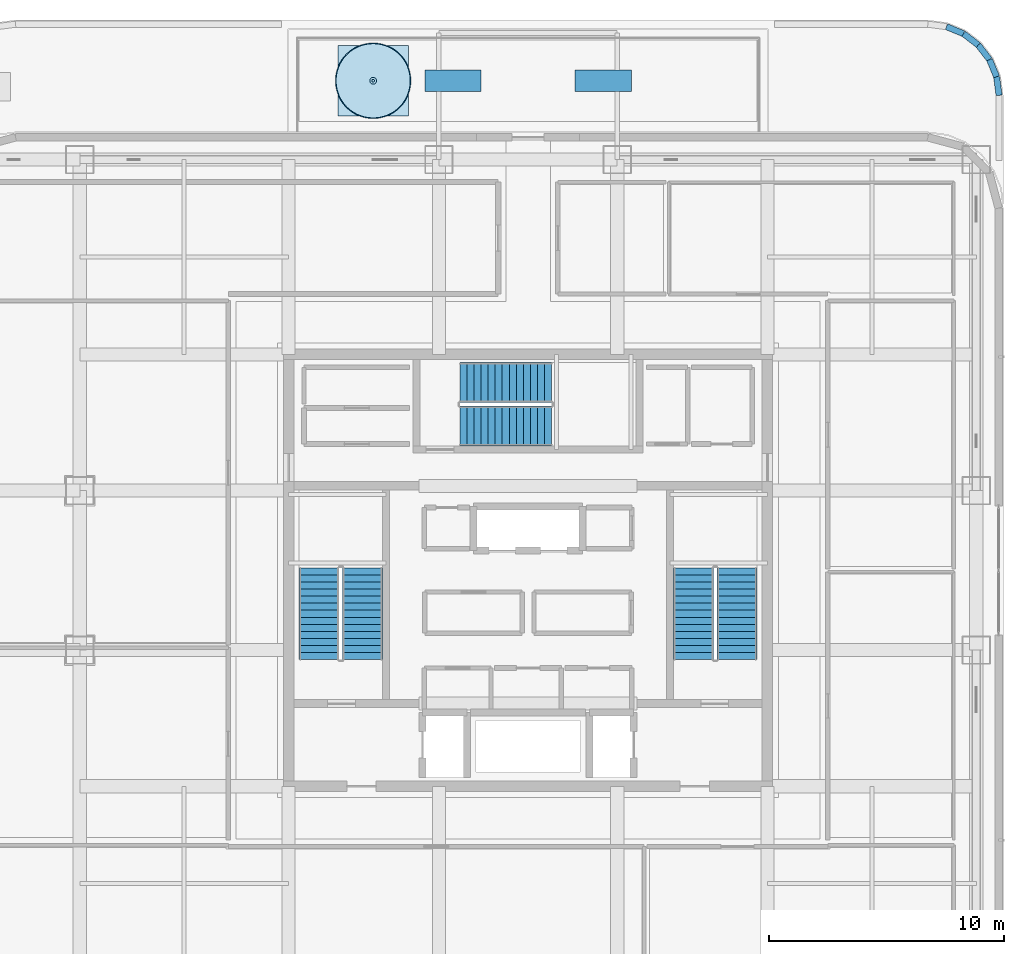
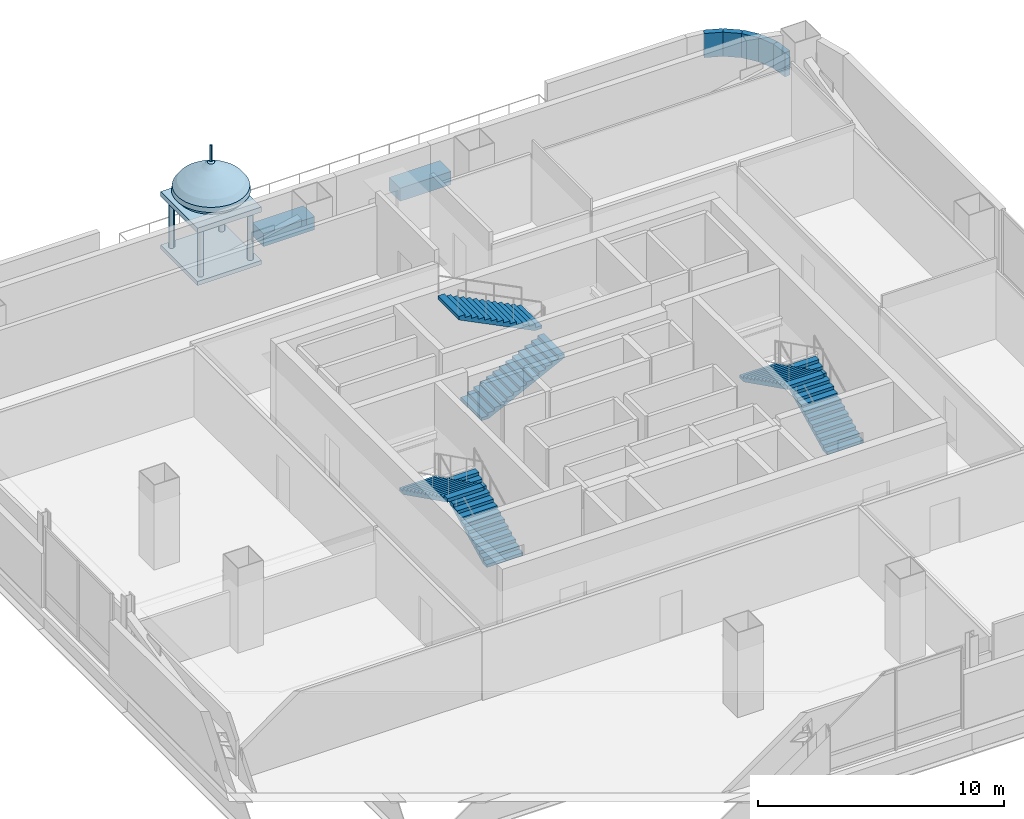
# One storey, part 15 of 28: 6 stair flights, 5 walls, 2 discrete accessories, 1 roof, 3 elements without a shape of their own.
"""IFC4 building model written with IfcOpenShell, lengths in metres."""

from ifc_helpers import new_model, entity, si_unit, direction, frame, frame_2d, origin, origin_2d, place, context, subcontext, project, spatial, polyline, rectangle, circle, outline, extrude, material, layer, layer_set, type_object, element, aggregate, save


model = new_model("IFC4")

# Units and contexts
model_context = context("Model", 3, precision=1e-05, world=origin(), true_north=direction((0.0, 1.0)))
body_context = subcontext(model_context, "Body", "Model", "MODEL_VIEW")
ifc_project = project(units=[si_unit("LENGTHUNIT", "METRE"), si_unit("AREAUNIT", "SQUARE_METRE"), si_unit("VOLUMEUNIT", "CUBIC_METRE"), si_unit("PLANEANGLEUNIT", "RADIAN"), si_unit("MASSUNIT", "GRAM", prefix="KILO")], contexts=[model_context])

# Site, building, storey
site_placement = place(None, origin())
site = spatial("IfcSite", under=ifc_project, at=site_placement, CompositionType="ELEMENT")
building_placement = place(site_placement, origin())
building = spatial("IfcBuilding", under=site, at=building_placement, Name="Punatoya Terracotta Tower", CompositionType="ELEMENT")
storey_placement = place(building_placement, frame((0.0, 0.0, 317.39990234375)))
storey = spatial("IfcBuildingStorey", under=building, at=storey_placement, Name="L75", CompositionType="ELEMENT", Elevation=317.39990234375)

# Walls
ifc_material_1 = material(Name="Precast concrete C40/50", Category="concrete")
ifc_layer = layer(ifc_material_1, 0.260009765625)
ifc_layer_set = layer_set([ifc_layer], Name="Precast concrete C40/50")
wall_type = type_object("IfcWallType", Name="WL-PAR-260", PredefinedType="PARAPET", material=ifc_layer_set)
wall_1_placement = place(storey_placement, frame((20.070068359375, 20.23828125, 0.0), z_axis=(0.0, 0.0, 1.0), x_axis=(-0.130644014367, 0.991429342672, 0.0)))
element("IfcWall", 1, at=wall_1_placement, inside=storey, type_object=wall_type, Name="L75 Roof Parapet Wall PAR-L75-RF-02", PredefinedType="PARAPET", context=body_context, shape_type="SweptSolid", body=[
    extrude(rectangle(XDim=0.7998046875, YDim=0.260009765625, at=frame_2d((0.39990234375, 0.0))), origin(), (0.0, 0.0, 1.0), 1.2001953125),
])
wall_2_placement = place(storey_placement, frame((19.965576171875, 21.03125, 0.0), z_axis=(0.0, 0.0, 1.0), x_axis=(-0.38263454961, 0.923899778896, 0.0)))
element("IfcWall", 2, at=wall_2_placement, inside=storey, type_object=wall_type, Name="L75 Roof Parapet Wall PAR-L75-RF-03", PredefinedType="PARAPET", context=body_context, shape_type="SweptSolid", body=[
    extrude(rectangle(XDim=0.7880859375, YDim=0.260009765625, at=frame_2d((0.39404296875, 0.0))), origin(), (0.0, 0.0, 1.0), 1.2001953125),
])
wall_3_placement = place(storey_placement, frame((19.6640625, 21.75927734375, 0.0), z_axis=(0.0, 0.0, 1.0), x_axis=(-0.608886809997, 0.793257116332, 0.0)))
element("IfcWall", 3, at=wall_3_placement, inside=storey, type_object=wall_type, Name="L75 Roof Parapet Wall PAR-L75-RF-04", PredefinedType="PARAPET", context=body_context, shape_type="SweptSolid", body=[
    extrude(rectangle(XDim=0.787841796875, YDim=0.260009765625, at=frame_2d((0.39404296875, 0.0))), origin(), (0.0, 0.0, 1.0), 1.2001953125),
])
wall_4_placement = place(storey_placement, frame((19.184326171875, 22.38427734375, 0.0), z_axis=(0.0, 0.0, 1.0), x_axis=(-0.793371954706, 0.608737169464, 0.0)))
element("IfcWall", 4, at=wall_4_placement, inside=storey, type_object=wall_type, Name="L75 Roof Parapet Wall PAR-L75-RF-05", PredefinedType="PARAPET", context=body_context, shape_type="SweptSolid", body=[
    extrude(rectangle(XDim=0.7880859375, YDim=0.260009765625, at=frame_2d((0.39404296875, 0.0))), origin(), (0.0, 0.0, 1.0), 1.2001953125),
])
wall_5_placement = place(storey_placement, frame((18.55908203125, 22.864013671875, 0.0), z_axis=(0.0, 0.0, 1.0), x_axis=(-0.923854398102, 0.38274410656, 0.0)))
element("IfcWall", 5, at=wall_5_placement, inside=storey, type_object=wall_type, Name="L75 Roof Parapet Wall PAR-L75-RF-06", PredefinedType="PARAPET", context=body_context, shape_type="SweptSolid", body=[
    extrude(rectangle(XDim=0.787841796875, YDim=0.260009765625, at=frame_2d((0.39404296875, 0.0))), origin(), (0.0, 0.0, 1.0), 1.2001953125),
])

# Stair, stair flights
ifc_material_2 = material(Name="Concrete C40/50", Category="concrete")
stair_type_1 = type_object("IfcStairType", Name="STR-CORE-1550", PredefinedType="HALF_TURN_STAIR", material=ifc_material_2)
stair_1_placement = place(storey_placement, origin())
stair_1 = element("IfcStair", 6, at=stair_1_placement, inside=storey, type_object=stair_type_1, Name="L75 Protected Core Exit Stair ST-1", PredefinedType="HALF_TURN_STAIR")
stair_flight_type_1 = type_object("IfcStairFlightType", Name="SFL-CORE-1550", PredefinedType="STRAIGHT", material=ifc_material_2)
stair_flight_1_placement = place(storey_placement, frame((-7.050048828125, -3.800048828125, 0.0), z_axis=(0.0, 0.0, 1.0), x_axis=(0.0, 1.0, 0.0)))
stair_flight_1 = element("IfcStairFlight", 7, at=stair_flight_1_placement, type_object=stair_flight_type_1, Name="ST-1 flight 1", NumberOfRisers=14, NumberOfTreads=13, PredefinedType="STRAIGHT", RiserHeight=0.15, TreadLength=0.3, context=body_context, shape_type="SweptSolid", body=[
    extrude(outline(polyline([(0.0, 0.0), (0.0, 0.14990234375), (0.300048828125, 0.14990234375), (0.300048828125, 0.300048828125), (0.60009765625, 0.300048828125), (0.60009765625, 0.449951171875), (0.89990234375, 0.449951171875), (0.89990234375, 0.60009765625), (1.199951171875, 0.60009765625), (1.199951171875, 0.75), (1.5, 0.75), (1.5, 0.89990234375), (1.800048828125, 0.89990234375), (1.800048828125, 1.050048828125), (2.10009765625, 1.050048828125), (2.10009765625, 1.199951171875), (2.39990234375, 1.199951171875), (2.39990234375, 1.35009765625), (2.699951171875, 1.35009765625), (2.699951171875, 1.5), (3.0, 1.5), (3.0, 1.64990234375), (3.300048828125, 1.64990234375), (3.300048828125, 1.800048828125), (3.60009765625, 1.800048828125), (3.60009765625, 1.949951171875), (3.89990234375, 1.949951171875), (3.89990234375, 2.10009765625), (3.89990234375, 1.782470703125), (0.335205078125, 0.0), (0.0, 0.0)])), frame((0.0, 0.85009765625, 0.0), z_axis=(0.0, -1.0, 0.0), x_axis=(1.0, 0.0, 0.0)), (0.0, 0.0, 1.0), 1.699951171875),
])
stair_flight_2_placement = place(storey_placement, frame((-8.89990234375, 0.10009765625, 2.10009765625), z_axis=(0.0, 0.0, 1.0), x_axis=(0.0, -1.0, 0.0)))
stair_flight_2 = element("IfcStairFlight", 8, at=stair_flight_2_placement, type_object=stair_flight_type_1, Name="ST-1 flight 2", NumberOfRisers=14, NumberOfTreads=13, PredefinedType="STRAIGHT", RiserHeight=0.15, TreadLength=0.3, context=body_context, shape_type="SweptSolid", body=[
    extrude(outline(polyline([(0.0, 0.0), (0.0, 0.14990234375), (0.300048828125, 0.14990234375), (0.300048828125, 0.300048828125), (0.60009765625, 0.300048828125), (0.60009765625, 0.449951171875), (0.89990234375, 0.449951171875), (0.89990234375, 0.60009765625), (1.199951171875, 0.60009765625), (1.199951171875, 0.75), (1.5, 0.75), (1.5, 0.89990234375), (1.800048828125, 0.89990234375), (1.800048828125, 1.050048828125), (2.10009765625, 1.050048828125), (2.10009765625, 1.199951171875), (2.39990234375, 1.199951171875), (2.39990234375, 1.35009765625), (2.699951171875, 1.35009765625), (2.699951171875, 1.5), (3.0, 1.5), (3.0, 1.64990234375), (3.300048828125, 1.64990234375), (3.300048828125, 1.800048828125), (3.60009765625, 1.800048828125), (3.60009765625, 1.949951171875), (3.89990234375, 1.949951171875), (3.89990234375, 2.10009765625), (3.89990234375, 1.782470703125), (0.335205078125, 0.0), (0.0, 0.0)])), frame((0.0, 0.85009765625, 0.0), z_axis=(0.0, -1.0, 0.0), x_axis=(1.0, 0.0, 0.0)), (0.0, 0.0, 1.0), 1.699951171875),
])
aggregate(stair_1, [stair_flight_1, stair_flight_2])

stair_type_2 = type_object("IfcStairType", Name="STR-LOB-1650", PredefinedType="HALF_TURN_STAIR", material=ifc_material_2)
stair_2_placement = place(storey_placement, origin())
stair_2 = element("IfcStair", 9, at=stair_2_placement, inside=storey, type_object=stair_type_2, Name="L75 Protected Core Exit Stair ST-2", PredefinedType="HALF_TURN_STAIR")
stair_flight_type_2 = type_object("IfcStairFlightType", Name="SFL-LOB-1650", PredefinedType="STRAIGHT", material=ifc_material_2)
stair_flight_3_placement = place(storey_placement, frame((8.89990234375, -3.800048828125, 0.0), z_axis=(0.0, 0.0, 1.0), x_axis=(0.0, 1.0, 0.0)))
stair_flight_3 = element("IfcStairFlight", 10, at=stair_flight_3_placement, type_object=stair_flight_type_2, Name="ST-2 flight 1", NumberOfRisers=14, NumberOfTreads=13, PredefinedType="STRAIGHT", RiserHeight=0.15, TreadLength=0.3, context=body_context, shape_type="SweptSolid", body=[
    extrude(outline(polyline([(0.0, 0.0), (0.0, 0.14990234375), (0.300048828125, 0.14990234375), (0.300048828125, 0.300048828125), (0.60009765625, 0.300048828125), (0.60009765625, 0.449951171875), (0.89990234375, 0.449951171875), (0.89990234375, 0.60009765625), (1.199951171875, 0.60009765625), (1.199951171875, 0.75), (1.5, 0.75), (1.5, 0.89990234375), (1.800048828125, 0.89990234375), (1.800048828125, 1.050048828125), (2.10009765625, 1.050048828125), (2.10009765625, 1.199951171875), (2.39990234375, 1.199951171875), (2.39990234375, 1.35009765625), (2.699951171875, 1.35009765625), (2.699951171875, 1.5), (3.0, 1.5), (3.0, 1.64990234375), (3.300048828125, 1.64990234375), (3.300048828125, 1.800048828125), (3.60009765625, 1.800048828125), (3.60009765625, 1.949951171875), (3.89990234375, 1.949951171875), (3.89990234375, 2.10009765625), (3.89990234375, 1.782470703125), (0.335205078125, 0.0), (0.0, 0.0)])), frame((0.0, 0.85009765625, 0.0), z_axis=(0.0, -1.0, 0.0), x_axis=(1.0, 0.0, 0.0)), (0.0, 0.0, 1.0), 1.699951171875),
])
stair_flight_4_placement = place(storey_placement, frame((7.050048828125, 0.10009765625, 2.10009765625), z_axis=(0.0, 0.0, 1.0), x_axis=(0.0, -1.0, 0.0)))
stair_flight_4 = element("IfcStairFlight", 11, at=stair_flight_4_placement, type_object=stair_flight_type_2, Name="ST-2 flight 2", NumberOfRisers=14, NumberOfTreads=13, PredefinedType="STRAIGHT", RiserHeight=0.15, TreadLength=0.3, context=body_context, shape_type="SweptSolid", body=[
    extrude(outline(polyline([(0.0, 0.0), (0.0, 0.14990234375), (0.300048828125, 0.14990234375), (0.300048828125, 0.300048828125), (0.60009765625, 0.300048828125), (0.60009765625, 0.449951171875), (0.89990234375, 0.449951171875), (0.89990234375, 0.60009765625), (1.199951171875, 0.60009765625), (1.199951171875, 0.75), (1.5, 0.75), (1.5, 0.89990234375), (1.800048828125, 0.89990234375), (1.800048828125, 1.050048828125), (2.10009765625, 1.050048828125), (2.10009765625, 1.199951171875), (2.39990234375, 1.199951171875), (2.39990234375, 1.35009765625), (2.699951171875, 1.35009765625), (2.699951171875, 1.5), (3.0, 1.5), (3.0, 1.64990234375), (3.300048828125, 1.64990234375), (3.300048828125, 1.800048828125), (3.60009765625, 1.800048828125), (3.60009765625, 1.949951171875), (3.89990234375, 1.949951171875), (3.89990234375, 2.10009765625), (3.89990234375, 1.782470703125), (0.335205078125, 0.0), (0.0, 0.0)])), frame((0.0, 0.85009765625, 0.0), z_axis=(0.0, -1.0, 0.0), x_axis=(1.0, 0.0, 0.0)), (0.0, 0.0, 1.0), 1.699951171875),
])
aggregate(stair_2, [stair_flight_3, stair_flight_4])

stair_type_3 = type_object("IfcStairType", Name="STR-TER-1450", PredefinedType="HALF_TURN_STAIR", material=ifc_material_2)
stair_3_placement = place(storey_placement, origin())
stair_3 = element("IfcStair", 12, at=stair_3_placement, inside=storey, type_object=stair_type_3, Name="L75 Protected Core Exit Stair ST-3", PredefinedType="HALF_TURN_STAIR")
stair_flight_type_3 = type_object("IfcStairFlightType", Name="SFL-TER-1450", PredefinedType="STRAIGHT", material=ifc_material_2)
stair_flight_5_placement = place(storey_placement, frame((-2.89990234375, 6.14990234375, 0.0), z_axis=(0.0, 0.0, 1.0), x_axis=(1.0, 0.0, 0.0)))
stair_flight_5 = element("IfcStairFlight", 13, at=stair_flight_5_placement, type_object=stair_flight_type_3, Name="ST-3 flight 1", NumberOfRisers=14, NumberOfTreads=13, PredefinedType="STRAIGHT", RiserHeight=0.15, TreadLength=0.3, context=body_context, shape_type="SweptSolid", body=[
    extrude(outline(polyline([(0.0, 0.0), (0.0, 0.14990234375), (0.300048828125, 0.14990234375), (0.300048828125, 0.300048828125), (0.60009765625, 0.300048828125), (0.60009765625, 0.449951171875), (0.89990234375, 0.449951171875), (0.89990234375, 0.60009765625), (1.199951171875, 0.60009765625), (1.199951171875, 0.75), (1.5, 0.75), (1.5, 0.89990234375), (1.800048828125, 0.89990234375), (1.800048828125, 1.050048828125), (2.10009765625, 1.050048828125), (2.10009765625, 1.199951171875), (2.39990234375, 1.199951171875), (2.39990234375, 1.35009765625), (2.699951171875, 1.35009765625), (2.699951171875, 1.5), (3.0, 1.5), (3.0, 1.64990234375), (3.300048828125, 1.64990234375), (3.300048828125, 1.800048828125), (3.60009765625, 1.800048828125), (3.60009765625, 1.949951171875), (3.89990234375, 1.949951171875), (3.89990234375, 2.10009765625), (3.89990234375, 1.782470703125), (0.335205078125, 0.0), (0.0, 0.0)])), frame((0.0, 0.85009765625, 0.0), z_axis=(0.0, -1.0, 0.0), x_axis=(1.0, 0.0, 0.0)), (0.0, 0.0, 1.0), 1.699951171875),
])
stair_flight_6_placement = place(storey_placement, frame((1.0, 8.0, 2.10009765625), z_axis=(0.0, 0.0, 1.0), x_axis=(-1.0, 0.0, 0.0)))
stair_flight_6 = element("IfcStairFlight", 14, at=stair_flight_6_placement, type_object=stair_flight_type_3, Name="ST-3 flight 2", NumberOfRisers=14, NumberOfTreads=13, PredefinedType="STRAIGHT", RiserHeight=0.15, TreadLength=0.3, context=body_context, shape_type="SweptSolid", body=[
    extrude(outline(polyline([(0.0, 0.0), (0.0, 0.14990234375), (0.300048828125, 0.14990234375), (0.300048828125, 0.300048828125), (0.60009765625, 0.300048828125), (0.60009765625, 0.449951171875), (0.89990234375, 0.449951171875), (0.89990234375, 0.60009765625), (1.199951171875, 0.60009765625), (1.199951171875, 0.75), (1.5, 0.75), (1.5, 0.89990234375), (1.800048828125, 0.89990234375), (1.800048828125, 1.050048828125), (2.10009765625, 1.050048828125), (2.10009765625, 1.199951171875), (2.39990234375, 1.199951171875), (2.39990234375, 1.35009765625), (2.699951171875, 1.35009765625), (2.699951171875, 1.5), (3.0, 1.5), (3.0, 1.64990234375), (3.300048828125, 1.64990234375), (3.300048828125, 1.800048828125), (3.60009765625, 1.800048828125), (3.60009765625, 1.949951171875), (3.89990234375, 1.949951171875), (3.89990234375, 2.10009765625), (3.89990234375, 1.782470703125), (0.335205078125, 0.0), (0.0, 0.0)])), frame((0.0, 0.85009765625, 0.0), z_axis=(0.0, -1.0, 0.0), x_axis=(1.0, 0.0, 0.0)), (0.0, 0.0, 1.0), 1.699951171875),
])
aggregate(stair_3, [stair_flight_5, stair_flight_6])

# Roof
ifc_material_3 = material(Name="Architectural Fired Terracotta", Category="masonry")
roof_type = type_object("IfcRoofType", Name="ROF-CHH-2600", PredefinedType="DOME_ROOF", material=ifc_material_3)
roof_placement = place(storey_placement, frame((-6.60009765625, 20.860107421875, 0.0), z_axis=(0.0, 0.0, 1.0), x_axis=(1.0, 0.0, 0.0)))
cartesian_point = entity("IfcCartesianPoint", [0.0, 0.0])
element("IfcRoof", 15, at=roof_placement, inside=storey, type_object=roof_type, Name="L75 Sky Terrace Pavilion (Chhatri) CH-09", PredefinedType="DOME_ROOF", context=body_context, shape_type="SweptSolid", body=[
    extrude(rectangle(XDim=3.0, YDim=3.0, at=origin_2d()), origin(), (0.0, 0.0, 1.0), 0.199951171875),
    extrude(circle(Radius=0.1298828125, at=origin_2d()), frame((-1.169921875, -1.169921875, 0.199951171875)), (0.0, 0.0, 1.0), 2.39990234375),
    extrude(circle(Radius=0.1298828125, at=origin_2d()), frame((1.169921875, -1.169921875, 0.199951171875)), (0.0, 0.0, 1.0), 2.39990234375),
    extrude(circle(Radius=0.1298828125, at=origin_2d()), frame((1.169921875, 1.169921875, 0.199951171875)), (0.0, 0.0, 1.0), 2.39990234375),
    extrude(circle(Radius=0.1298828125, at=origin_2d()), frame((-1.169921875, 1.169921875, 0.199951171875)), (0.0, 0.0, 1.0), 2.39990234375),
    extrude(rectangle(XDim=3.0, YDim=3.0, at=origin_2d()), frame((0.0, 0.0, 2.599853515625)), (0.0, 0.0, 1.0), 0.25),
    entity("IfcRevolvedAreaSolid", entity("IfcArbitraryClosedProfileDef", "AREA", None, entity("IfcPolyline", [cartesian_point, entity("IfcCartesianPoint", [1.06396484375, 0.0]), entity("IfcCartesianPoint", [1.16064453125, 0.094970703125]), entity("IfcCartesianPoint", [1.418701171875, 0.2470703125]), entity("IfcCartesianPoint", [1.612060546875, 0.47509765625]), entity("IfcCartesianPoint", [1.579833984375, 0.702880859375]), entity("IfcCartesianPoint", [1.386474609375, 0.968994140625]), entity("IfcCartesianPoint", [1.03173828125, 1.23486328125]), entity("IfcCartesianPoint", [0.677001953125, 1.462890625]), entity("IfcCartesianPoint", [0.386962890625, 1.634033203125]), entity("IfcCartesianPoint", [0.2255859375, 1.766845703125]), entity("IfcCartesianPoint", [0.14501953125, 1.843017578125]), entity("IfcCartesianPoint", [0.0, 1.89990234375]), cartesian_point])), entity("IfcAxis2Placement3D", entity("IfcCartesianPoint", [0.0, 0.0, 2.849853515625]), entity("IfcDirection", [0.0, -1.0, 0.0]), entity("IfcDirection", [1.0, 0.0, 0.0])), entity("IfcAxis1Placement", entity("IfcCartesianPoint", [0.0, 0.0, 0.0]), entity("IfcDirection", [0.0, 1.0, 0.0])), 6.283185307179586),
    extrude(circle(Radius=0.06005859375, at=origin_2d()), frame((0.0, 0.0, 4.749755859375)), (0.0, 0.0, 1.0), 0.800048828125),
])

# Discrete accessories
ifc_material_4 = material(Name="Architectural Terracotta Planter + Green Soil", Category="masonry")
discrete_accessory_type = type_object("IfcDiscreteAccessoryType", Name="ACC-PLANTER", PredefinedType="USERDEFINED", material=ifc_material_4)
for number, where, z_axis, x_axis, name in (
    (16, (-3.199951171875, 20.860107421875, 0.000244140625), (0.0, 0.0, 1.0), (1.0, 0.0, 0.0), "L75 Planted Terracotta Sky-Garden Planter 1"),
    (17, (3.199951171875, 20.860107421875, 0.000244140625), (0.0, 0.0, 1.0), (1.0, 0.0, 0.0), "L75 Planted Terracotta Sky-Garden Planter 2"),
):
    element("IfcDiscreteAccessory", number, at=place(storey_placement, frame(where, z_axis=z_axis, x_axis=x_axis)), inside=storey, type_object=discrete_accessory_type, Name=name, ObjectType="PLANTER", PredefinedType="USERDEFINED", context=body_context, shape_type="SweptSolid", body=[
        extrude(rectangle(XDim=2.39990234375, YDim=0.89990234375, at=origin_2d()), origin(), (0.0, 0.0, 1.0), 0.64990234375),
    ])

save(model, "model.ifc")
